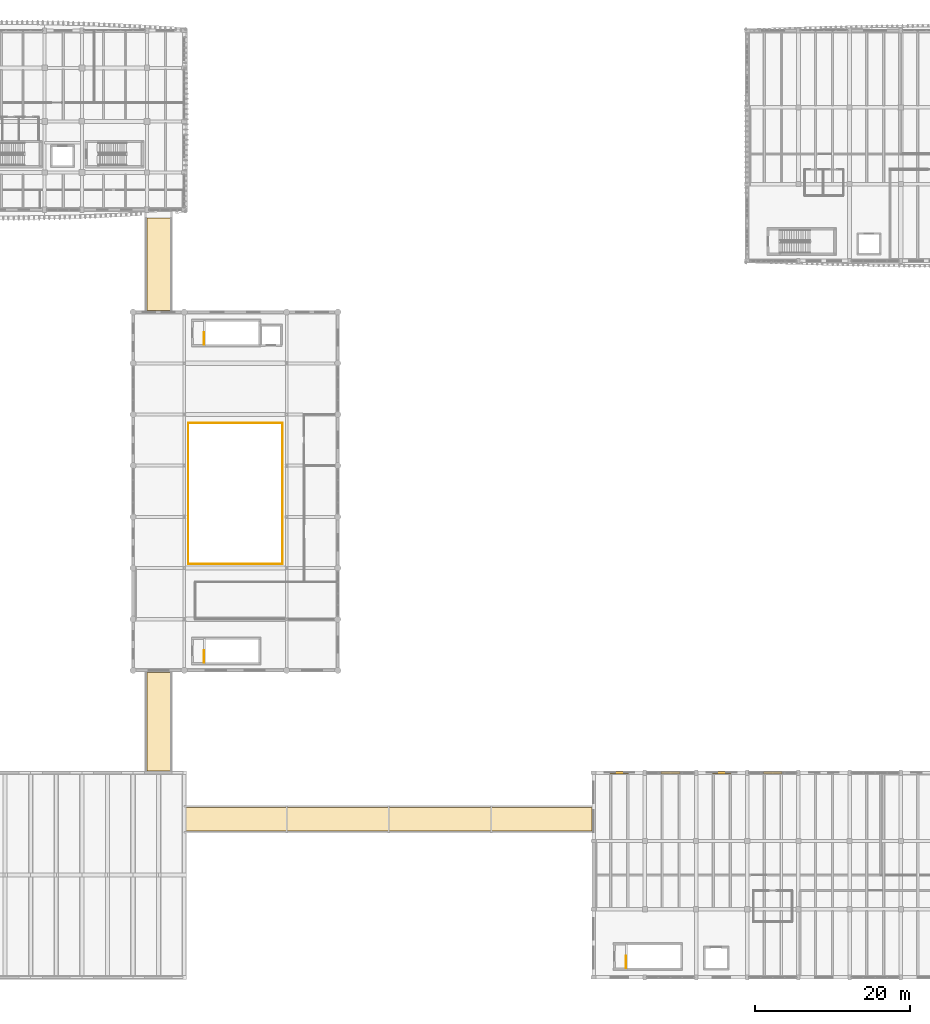
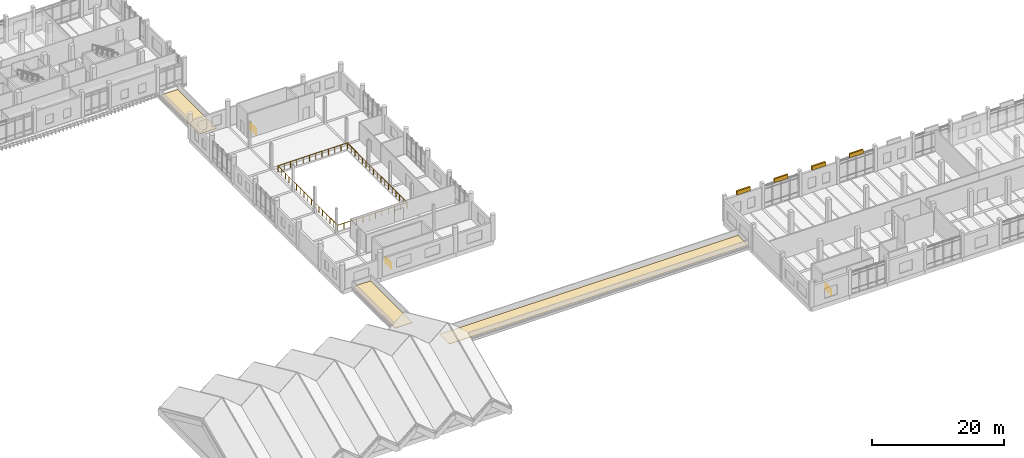
# One storey, part 60 of 76: 5 railings, 4 shading devices, 3 coverings.
"""IFC4 building model written with IfcOpenShell, lengths in metres."""

from ifc_helpers import new_model, si_unit, direction, frame, origin, origin_2d, place, context, subcontext, project, spatial, polyline, rectangle, circle, outline, extrude, material, layer, layer_set, type_object, element, save


model = new_model("IFC4")

# Units and contexts
model_context = context("Model", 3, precision=1e-05, world=origin(), true_north=direction((0.0, 1.0)))
body_context = subcontext(model_context, "Body", "Model", "MODEL_VIEW")
ifc_project = project(units=[si_unit("LENGTHUNIT", "METRE"), si_unit("AREAUNIT", "SQUARE_METRE"), si_unit("VOLUMEUNIT", "CUBIC_METRE"), si_unit("PLANEANGLEUNIT", "RADIAN"), si_unit("MASSUNIT", "GRAM", prefix="KILO")], contexts=[model_context])

# Site, building, storey
site_placement = place(None, origin())
site = spatial("IfcSite", under=ifc_project, at=site_placement, CompositionType="ELEMENT")
building_placement = place(site_placement, origin())
building = spatial("IfcBuilding", under=site, at=building_placement, Name="Dornvale Research Institute", CompositionType="ELEMENT")
storey_placement = place(building_placement, frame((0.0, 0.0, 15.0)))
storey = spatial("IfcBuildingStorey", under=building, at=storey_placement, Name="L03", CompositionType="ELEMENT", Elevation=15.0)

# Coverings
ifc_material_1 = material(Name="TPO High-Reflectance Cool Roof Membrane and Rigid Insulation")
ifc_layer_1 = layer(ifc_material_1, 0.06005859375)
ifc_layer_set_1 = layer_set([ifc_layer_1], Name="TPO High-Reflectance Cool Roof Membrane and Rigid Insulation")
covering_type = type_object("IfcCoveringType", Name="Covering_CoolRoof_Membrane", PredefinedType="ROOFING", material=ifc_layer_set_1)
covering_1_placement = place(storey_placement, origin())
element("IfcCovering", 1, at=covering_1_placement, inside=storey, type_object=covering_type, Name="L03 link bridge BR-2 cool roof membrane", PredefinedType="ROOFING", context=body_context, shape_type="SweptSolid", body=[
    extrude(outline(polyline([(41.39990234375, 26.639892578125), (44.39990234375, 26.639892578125), (44.39990234375, 39.360107421875), (41.39990234375, 39.360107421875), (41.39990234375, 26.639892578125)])), origin(), (0.0, 0.0, 1.0), 0.06005859375),
])
covering_2_placement = place(storey_placement, origin())
element("IfcCovering", 2, at=covering_2_placement, inside=storey, type_object=covering_type, Name="L03 link bridge BR-4 cool roof membrane", PredefinedType="ROOFING", context=body_context, shape_type="SweptSolid", body=[
    extrude(outline(polyline([(41.39990234375, 86.0400390625), (44.39990234375, 86.0400390625), (44.39990234375, 97.919921875), (41.39990234375, 97.919921875), (41.39990234375, 86.0400390625)])), origin(), (0.0, 0.0, 1.0), 0.06005859375),
])
covering_3_placement = place(storey_placement, origin())
element("IfcCovering", 3, at=covering_3_placement, inside=storey, type_object=covering_type, Name="L03 link bridge BR-6 cool roof membrane", PredefinedType="ROOFING", context=body_context, shape_type="SweptSolid", body=[
    extrude(outline(polyline([(46.43994140625, 18.89990234375), (98.760009765625, 18.89990234375), (98.760009765625, 21.89990234375), (46.43994140625, 21.89990234375), (46.43994140625, 18.89990234375)])), origin(), (0.0, 0.0, 1.0), 0.06005859375),
])

# Railings
ifc_material_2 = material(Name="Architectural Bronze-Anodized Steel Balustrade", Category="steel")
ifc_layer_2 = layer(ifc_material_2, 0.070068359375)
ifc_layer_set_2 = layer_set([ifc_layer_2], Name="Architectural Bronze-Anodized Steel Balustrade")
railing_type_1 = type_object("IfcRailingType", Name="Railing_Atrium_Balustrade_1120", PredefinedType="BALUSTRADE", material=ifc_layer_set_2)
railing_1_placement = place(storey_placement, frame((46.719970703125, 53.320068359375, 0.0)))
element("IfcRailing", 4, at=railing_1_placement, inside=storey, type_object=railing_type_1, Name="L03 BAL-ATR balustrade SE", PredefinedType="BALUSTRADE", context=body_context, shape_type="SweptSolid", body=[
    extrude(circle(Radius=0.02392578125, at=origin_2d()), frame((0.0, 0.0, 1.09619140625), z_axis=(1.0, 0.0, 0.0), x_axis=(0.0, 1.0, 0.0)), (0.0, 0.0, 1.0), 12.159912109375),
    extrude(circle(Radius=0.02392578125, at=origin_2d()), frame((12.159912109375, 0.0, 1.09619140625), z_axis=(0.0, 1.0, 0.0), x_axis=(-1.0, 0.0, 0.0)), (0.0, 0.0, 1.0), 18.099853515625),
    extrude(circle(Radius=0.02099609375, at=origin_2d()), origin(), (0.0, 0.0, 1.0), 1.072021484375),
    extrude(circle(Radius=0.02099609375, at=origin_2d()), frame((1.10546875, 0.0, 0.0)), (0.0, 0.0, 1.0), 1.072021484375),
    extrude(circle(Radius=0.02099609375, at=origin_2d()), frame((2.2109375, 0.0, 0.0)), (0.0, 0.0, 1.0), 1.072021484375),
    extrude(circle(Radius=0.02099609375, at=origin_2d()), frame((3.31640625, 0.0, 0.0)), (0.0, 0.0, 1.0), 1.072021484375),
    extrude(circle(Radius=0.02099609375, at=origin_2d()), frame((4.421875, 0.0, 0.0)), (0.0, 0.0, 1.0), 1.072021484375),
    extrude(circle(Radius=0.02099609375, at=origin_2d()), frame((5.52734375, 0.0, 0.0)), (0.0, 0.0, 1.0), 1.072021484375),
    extrude(circle(Radius=0.02099609375, at=origin_2d()), frame((6.632568359375, 0.0, 0.0)), (0.0, 0.0, 1.0), 1.072021484375),
    extrude(circle(Radius=0.02099609375, at=origin_2d()), frame((7.738037109375, 0.0, 0.0)), (0.0, 0.0, 1.0), 1.072021484375),
    extrude(circle(Radius=0.02099609375, at=origin_2d()), frame((8.843505859375, 0.0, 0.0)), (0.0, 0.0, 1.0), 1.072021484375),
    extrude(circle(Radius=0.02099609375, at=origin_2d()), frame((9.948974609375, 0.0, 0.0)), (0.0, 0.0, 1.0), 1.072021484375),
    extrude(circle(Radius=0.02099609375, at=origin_2d()), frame((11.054443359375, 0.0, 0.0)), (0.0, 0.0, 1.0), 1.072021484375),
    extrude(circle(Radius=0.02099609375, at=origin_2d()), frame((12.159912109375, 0.0, 0.0)), (0.0, 0.0, 1.0), 1.072021484375),
    extrude(circle(Radius=0.02099609375, at=origin_2d()), frame((12.159912109375, 1.13134765625, 0.0)), (0.0, 0.0, 1.0), 1.072021484375),
    extrude(circle(Radius=0.02099609375, at=origin_2d()), frame((12.159912109375, 2.262451171875, 0.0)), (0.0, 0.0, 1.0), 1.072021484375),
    extrude(circle(Radius=0.02099609375, at=origin_2d()), frame((12.159912109375, 3.393798828125, 0.0)), (0.0, 0.0, 1.0), 1.072021484375),
    extrude(circle(Radius=0.02099609375, at=origin_2d()), frame((12.159912109375, 4.52490234375, 0.0)), (0.0, 0.0, 1.0), 1.072021484375),
    extrude(circle(Radius=0.02099609375, at=origin_2d()), frame((12.159912109375, 5.65625, 0.0)), (0.0, 0.0, 1.0), 1.072021484375),
    extrude(circle(Radius=0.02099609375, at=origin_2d()), frame((12.159912109375, 6.787353515625, 0.0)), (0.0, 0.0, 1.0), 1.072021484375),
    extrude(circle(Radius=0.02099609375, at=origin_2d()), frame((12.159912109375, 7.918701171875, 0.0)), (0.0, 0.0, 1.0), 1.072021484375),
    extrude(circle(Radius=0.02099609375, at=origin_2d()), frame((12.159912109375, 9.0498046875, 0.0)), (0.0, 0.0, 1.0), 1.072021484375),
    extrude(circle(Radius=0.02099609375, at=origin_2d()), frame((12.159912109375, 10.18115234375, 0.0)), (0.0, 0.0, 1.0), 1.072021484375),
    extrude(circle(Radius=0.02099609375, at=origin_2d()), frame((12.159912109375, 11.3125, 0.0)), (0.0, 0.0, 1.0), 1.072021484375),
    extrude(circle(Radius=0.02099609375, at=origin_2d()), frame((12.159912109375, 12.443603515625, 0.0)), (0.0, 0.0, 1.0), 1.072021484375),
    extrude(circle(Radius=0.02099609375, at=origin_2d()), frame((12.159912109375, 13.574951171875, 0.0)), (0.0, 0.0, 1.0), 1.072021484375),
    extrude(circle(Radius=0.02099609375, at=origin_2d()), frame((12.159912109375, 14.7060546875, 0.0)), (0.0, 0.0, 1.0), 1.072021484375),
    extrude(circle(Radius=0.02099609375, at=origin_2d()), frame((12.159912109375, 15.83740234375, 0.0)), (0.0, 0.0, 1.0), 1.072021484375),
    extrude(circle(Radius=0.02099609375, at=origin_2d()), frame((12.159912109375, 16.968505859375, 0.0)), (0.0, 0.0, 1.0), 1.072021484375),
    extrude(circle(Radius=0.02099609375, at=origin_2d()), frame((12.159912109375, 18.099853515625, 0.0)), (0.0, 0.0, 1.0), 1.072021484375),
])
railing_2_placement = place(storey_placement, frame((58.8798828125, 71.47998046875, 0.0)))
element("IfcRailing", 5, at=railing_2_placement, inside=storey, type_object=railing_type_1, Name="L03 BAL-ATR balustrade NW", PredefinedType="BALUSTRADE", context=body_context, shape_type="SweptSolid", body=[
    extrude(circle(Radius=0.02392578125, at=origin_2d()), frame((0.0, 0.0, 1.09619140625), z_axis=(-1.0, 0.0, 0.0), x_axis=(0.0, -1.0, 0.0)), (0.0, 0.0, 1.0), 12.159912109375),
    extrude(circle(Radius=0.02392578125, at=origin_2d()), frame((-12.159912109375, 0.0, 1.09619140625), z_axis=(0.0, -1.0, 0.0), x_axis=(1.0, 0.0, 0.0)), (0.0, 0.0, 1.0), 18.10009765625),
    extrude(circle(Radius=0.02099609375, at=origin_2d()), origin(), (0.0, 0.0, 1.0), 1.072021484375),
    extrude(circle(Radius=0.02099609375, at=origin_2d()), frame((-1.10546875, 0.0, 0.0)), (0.0, 0.0, 1.0), 1.072021484375),
    extrude(circle(Radius=0.02099609375, at=origin_2d()), frame((-2.2109375, 0.0, 0.0)), (0.0, 0.0, 1.0), 1.072021484375),
    extrude(circle(Radius=0.02099609375, at=origin_2d()), frame((-3.31640625, 0.0, 0.0)), (0.0, 0.0, 1.0), 1.072021484375),
    extrude(circle(Radius=0.02099609375, at=origin_2d()), frame((-4.421875, 0.0, 0.0)), (0.0, 0.0, 1.0), 1.072021484375),
    extrude(circle(Radius=0.02099609375, at=origin_2d()), frame((-5.52734375, 0.0, 0.0)), (0.0, 0.0, 1.0), 1.072021484375),
    extrude(circle(Radius=0.02099609375, at=origin_2d()), frame((-6.632568359375, 0.0, 0.0)), (0.0, 0.0, 1.0), 1.072021484375),
    extrude(circle(Radius=0.02099609375, at=origin_2d()), frame((-7.738037109375, 0.0, 0.0)), (0.0, 0.0, 1.0), 1.072021484375),
    extrude(circle(Radius=0.02099609375, at=origin_2d()), frame((-8.843505859375, 0.0, 0.0)), (0.0, 0.0, 1.0), 1.072021484375),
    extrude(circle(Radius=0.02099609375, at=origin_2d()), frame((-9.948974609375, 0.0, 0.0)), (0.0, 0.0, 1.0), 1.072021484375),
    extrude(circle(Radius=0.02099609375, at=origin_2d()), frame((-11.054443359375, 0.0, 0.0)), (0.0, 0.0, 1.0), 1.072021484375),
    extrude(circle(Radius=0.02099609375, at=origin_2d()), frame((-12.159912109375, 0.0, 0.0)), (0.0, 0.0, 1.0), 1.072021484375),
    extrude(circle(Radius=0.02099609375, at=origin_2d()), frame((-12.159912109375, -1.13134765625, 0.0)), (0.0, 0.0, 1.0), 1.072021484375),
    extrude(circle(Radius=0.02099609375, at=origin_2d()), frame((-12.159912109375, -2.262451171875, 0.0)), (0.0, 0.0, 1.0), 1.072021484375),
    extrude(circle(Radius=0.02099609375, at=origin_2d()), frame((-12.159912109375, -3.393798828125, 0.0)), (0.0, 0.0, 1.0), 1.072021484375),
    extrude(circle(Radius=0.02099609375, at=origin_2d()), frame((-12.159912109375, -4.52490234375, 0.0)), (0.0, 0.0, 1.0), 1.072021484375),
    extrude(circle(Radius=0.02099609375, at=origin_2d()), frame((-12.159912109375, -5.65625, 0.0)), (0.0, 0.0, 1.0), 1.072021484375),
    extrude(circle(Radius=0.02099609375, at=origin_2d()), frame((-12.159912109375, -6.78759765625, 0.0)), (0.0, 0.0, 1.0), 1.072021484375),
    extrude(circle(Radius=0.02099609375, at=origin_2d()), frame((-12.159912109375, -7.918701171875, 0.0)), (0.0, 0.0, 1.0), 1.072021484375),
    extrude(circle(Radius=0.02099609375, at=origin_2d()), frame((-12.159912109375, -9.050048828125, 0.0)), (0.0, 0.0, 1.0), 1.072021484375),
    extrude(circle(Radius=0.02099609375, at=origin_2d()), frame((-12.159912109375, -10.181396484375, 0.0)), (0.0, 0.0, 1.0), 1.072021484375),
    extrude(circle(Radius=0.02099609375, at=origin_2d()), frame((-12.159912109375, -11.3125, 0.0)), (0.0, 0.0, 1.0), 1.072021484375),
    extrude(circle(Radius=0.02099609375, at=origin_2d()), frame((-12.159912109375, -12.44384765625, 0.0)), (0.0, 0.0, 1.0), 1.072021484375),
    extrude(circle(Radius=0.02099609375, at=origin_2d()), frame((-12.159912109375, -13.5751953125, 0.0)), (0.0, 0.0, 1.0), 1.072021484375),
    extrude(circle(Radius=0.02099609375, at=origin_2d()), frame((-12.159912109375, -14.706298828125, 0.0)), (0.0, 0.0, 1.0), 1.072021484375),
    extrude(circle(Radius=0.02099609375, at=origin_2d()), frame((-12.159912109375, -15.837646484375, 0.0)), (0.0, 0.0, 1.0), 1.072021484375),
    extrude(circle(Radius=0.02099609375, at=origin_2d()), frame((-12.159912109375, -16.96875, 0.0)), (0.0, 0.0, 1.0), 1.072021484375),
    extrude(circle(Radius=0.02099609375, at=origin_2d()), frame((-12.159912109375, -18.10009765625, 0.0)), (0.0, 0.0, 1.0), 1.072021484375),
])
ifc_material_3 = material(Name="Galvanized Painted Tubular Steel Stair Rail", Category="steel")
ifc_layer_3 = layer(ifc_material_3, 0.050048828125)
ifc_layer_set_3 = layer_set([ifc_layer_3], Name="Galvanized Painted Tubular Steel Stair Rail")
railing_type_2 = type_object("IfcRailingType", Name="Railing_Stair_Guard_1100", PredefinedType="GUARDRAIL", material=ifc_layer_set_3)
railing_3_placement = place(storey_placement, frame((103.169921875, 1.199951171875, 0.0)))
element("IfcRailing", 6, at=railing_3_placement, inside=storey, type_object=railing_type_2, Name="L03 ST-5 top well guard 1", PredefinedType="GUARDRAIL", context=body_context, shape_type="SweptSolid", body=[
    extrude(circle(Radius=0.02392578125, at=origin_2d()), frame((0.0, 0.0, 1.076171875), z_axis=(0.0, 1.0, 0.0), x_axis=(-1.0, 0.0, 0.0)), (0.0, 0.0, 1.0), 1.580078125),
    extrude(circle(Radius=0.02099609375, at=origin_2d()), origin(), (0.0, 0.0, 1.0), 1.052001953125),
    extrude(circle(Radius=0.02099609375, at=origin_2d()), frame((0.0, 0.7900390625, 0.0)), (0.0, 0.0, 1.0), 1.052001953125),
    extrude(circle(Radius=0.02099609375, at=origin_2d()), frame((0.0, 1.580078125, 0.0)), (0.0, 0.0, 1.0), 1.052001953125),
])
for number, where, name in (
    (7, (48.77001953125, 40.60009765625, 0.0), "L03 ST-7 top well guard 1"),
    (8, (48.77001953125, 81.60009765625, 0.0), "L03 ST-8 top well guard 1"),
):
    element("IfcRailing", number, at=place(storey_placement, frame(where)), inside=storey, type_object=railing_type_2, Name=name, PredefinedType="GUARDRAIL", context=body_context, shape_type="SweptSolid", body=[
        extrude(circle(Radius=0.02392578125, at=origin_2d()), frame((0.0, 0.0, 1.076171875), z_axis=(0.0, 1.0, 0.0), x_axis=(-1.0, 0.0, 0.0)), (0.0, 0.0, 1.0), 1.579833984375),
        extrude(circle(Radius=0.02099609375, at=origin_2d()), origin(), (0.0, 0.0, 1.0), 1.052001953125),
        extrude(circle(Radius=0.02099609375, at=origin_2d()), frame((0.0, 0.7900390625, 0.0)), (0.0, 0.0, 1.0), 1.052001953125),
        extrude(circle(Radius=0.02099609375, at=origin_2d()), frame((0.0, 1.579833984375, 0.0)), (0.0, 0.0, 1.0), 1.052001953125),
    ])

# Shading devices
ifc_material_4 = material(Name="Extruded Aluminum Acoustic Intake Louvre", Category="aluminium")
ifc_layer_4 = layer(ifc_material_4, 0.139892578125)
ifc_layer_set_4 = layer_set([ifc_layer_4], Name="Extruded Aluminum Acoustic Intake Louvre")
shading_device_type = type_object("IfcShadingDeviceType", Name="Shading_Acoustic_Louvre", PredefinedType="USERDEFINED", material=ifc_layer_set_4)
for number, where, z_axis, x_axis, name in (
    (9, (102.300048828125, 26.39990234375, 4.02001953125), (0.0, 0.0, 1.0), (1.0, 0.0, 0.0), "L03 V3 extruded aluminum acoustic louvre #1"),
    (10, (108.89990234375, 26.39990234375, 4.02001953125), (0.0, 0.0, 1.0), (1.0, 0.0, 0.0), "L03 V3 extruded aluminum acoustic louvre #2"),
    (11, (115.5, 26.39990234375, 4.02001953125), (0.0, 0.0, 1.0), (1.0, 0.0, 0.0), "L03 V3 extruded aluminum acoustic louvre #3"),
    (12, (122.10009765625, 26.39990234375, 4.02001953125), (0.0, 0.0, 1.0), (1.0, 0.0, 0.0), "L03 V3 extruded aluminum acoustic louvre #4"),
):
    element("IfcShadingDevice", number, at=place(storey_placement, frame(where, z_axis=z_axis, x_axis=x_axis)), inside=storey, type_object=shading_device_type, Name=name, ObjectType="LOUVRE", PredefinedType="USERDEFINED", context=body_context, shape_type="SweptSolid", body=[
        extrude(rectangle(XDim=2.39990234375, YDim=0.280029296875, at=origin_2d()), origin(), (0.0, 0.0, 1.0), 0.719970703125),
    ])

save(model, "model.ifc")
